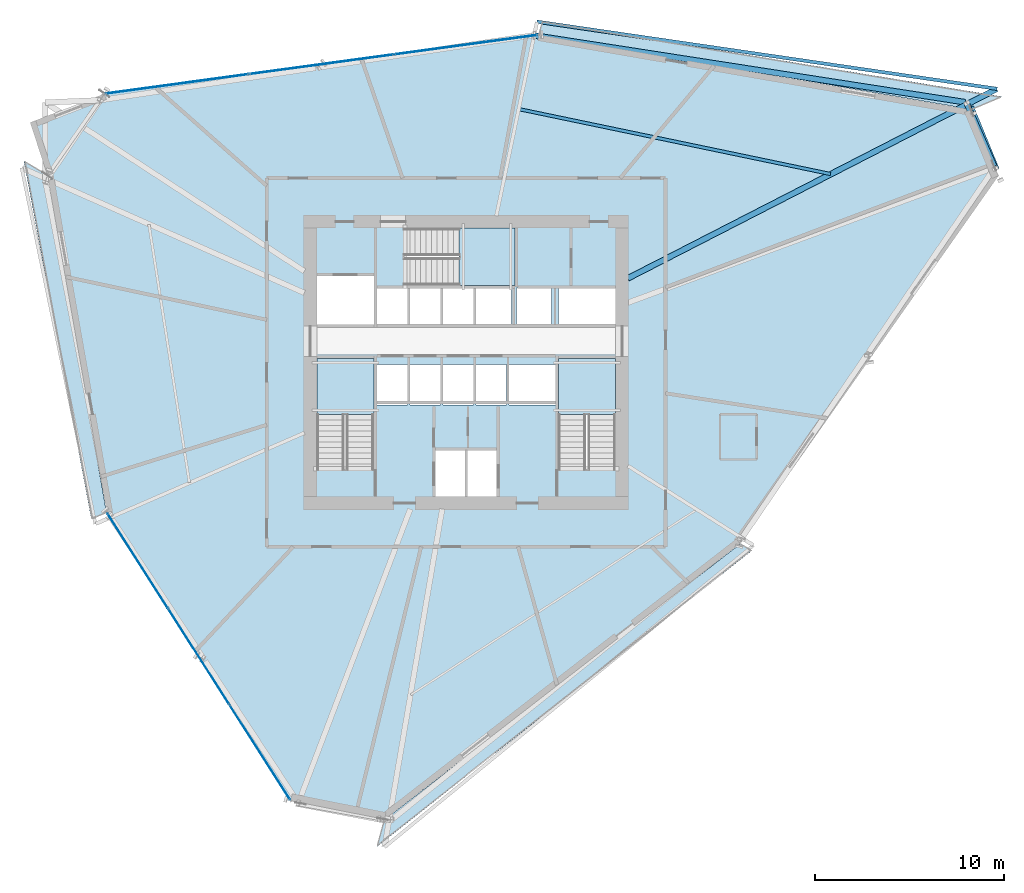
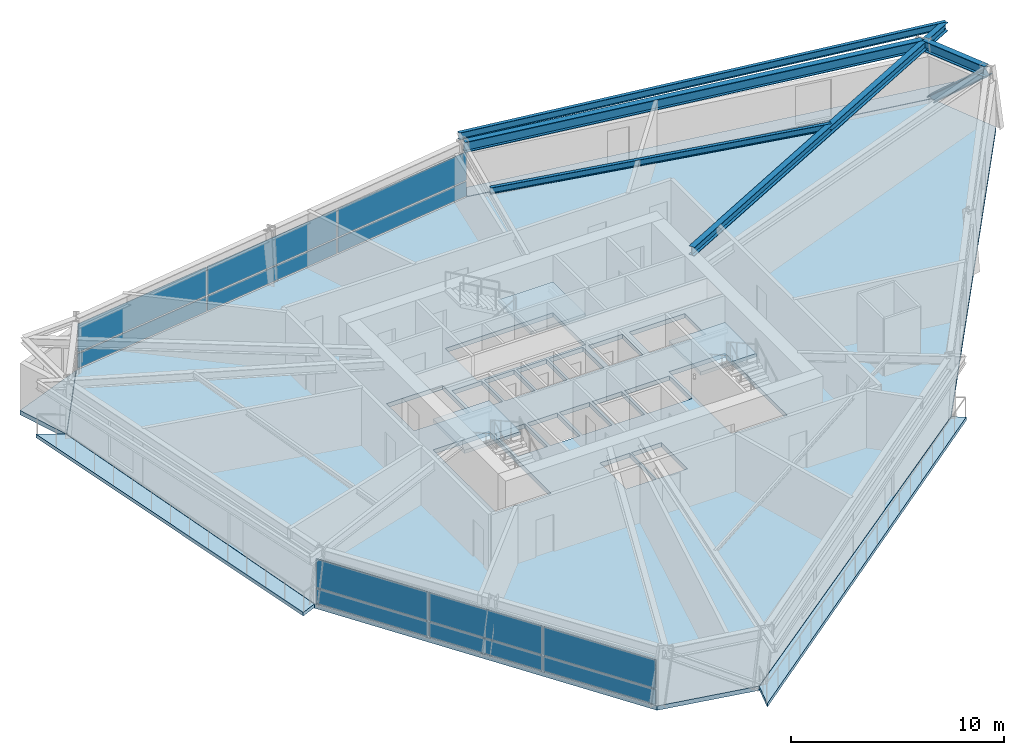
# One storey, part 8 of 16: 12 plates, 8 slabs, 5 beams, 1 member, 5 elements without a shape of their own.
"""IFC4 building model written with IfcOpenShell, lengths in metres."""

from ifc_helpers import new_model, si_unit, direction, frame, origin, origin_2d, place, context, subcontext, project, spatial, polyline, rectangle, i_section, outline, extrude, source, transform, mapped, material, layer, layer_set, material_profile, profile_set, type_object, element, aggregate, save


model = new_model("IFC4")

# Units and contexts
model_context = context("Model", 3, precision=1e-05, world=origin(), true_north=direction((0.0, 1.0)))
body_context = subcontext(model_context, "Body", "Model", "MODEL_VIEW")
ifc_project = project(units=[si_unit("LENGTHUNIT", "METRE"), si_unit("AREAUNIT", "SQUARE_METRE"), si_unit("VOLUMEUNIT", "CUBIC_METRE"), si_unit("PLANEANGLEUNIT", "RADIAN"), si_unit("MASSUNIT", "GRAM", prefix="KILO")], contexts=[model_context])

# Site, building, storey
site_placement = place(None, origin())
site = spatial("IfcSite", under=ifc_project, at=site_placement, CompositionType="ELEMENT")
building_placement = place(site_placement, origin())
building = spatial("IfcBuilding", under=site, at=building_placement, Name="Olszyna Solenne Hotel", CompositionType="ELEMENT")
storey_placement = place(building_placement, frame((0.0, 0.0, 127.0)))
storey = spatial("IfcBuildingStorey", under=building, at=storey_placement, Name="L33", CompositionType="ELEMENT", Elevation=127.0)

# Beams
ifc_material_1 = material(Name="Steel S355J2", Category="steel")
ifc_material_profile_1 = material_profile(ifc_material_1, i_section(OverallWidth=0.300048828125, OverallDepth=0.60009765625, WebThickness=0.015380859375, FlangeThickness=0.030029296875, at=origin_2d()), Name="HEB 600", Category="load-bearing")
ifc_profile_set_1 = profile_set([ifc_material_profile_1], Name="Steel S355J2")
beam_type_1 = type_object("IfcBeamType", Name="BM-S2", PredefinedType="BEAM", material=ifc_profile_set_1)
shared_shape_1 = source(origin(), body_context, "Body", "SweptSolid", [
    extrude(i_section(OverallWidth=0.300048828125, OverallDepth=0.60009765625, WebThickness=0.015380859375, FlangeThickness=0.030029296875, at=origin_2d()), origin(), (0.0, 0.0, 1.0), 3.63037109375),
])
beam_1_placement = place(storey_placement, frame((65.933837890625, 36.970458984375, 3.0), z_axis=(-0.399520214976, 0.916724384876, 0.0), x_axis=(-0.916724384876, -0.399520214976, 0.0)))
element("IfcBeam", 1, at=beam_1_placement, inside=storey, type_object=beam_type_1, Name="Perimeter spandrel beam BM-S2 B-L33-0987", PredefinedType="BEAM", context=body_context, shape_type="MappedRepresentation", body=[
    mapped(shared_shape_1, transform((0.0, 0.0, 0.0), x_axis=(1.0, 0.0, 0.0), y_axis=(0.0, 1.0, 0.0), z_axis=(0.0, 0.0, 1.0), scale=1.0)),
])
shared_shape_2 = source(origin(), body_context, "Body", "SweptSolid", [
    extrude(i_section(OverallWidth=0.300048828125, OverallDepth=0.60009765625, WebThickness=0.015380859375, FlangeThickness=0.030029296875, at=origin_2d()), origin(), (0.0, 0.0, 1.0), 23.046630859375),
])
beam_2_placement = place(storey_placement, frame((64.39990234375, 40.36279296875, 3.0), z_axis=(-0.988208250697, 0.153115816474, 0.0), x_axis=(-0.153115816474, -0.988208250697, 0.0)))
element("IfcBeam", 2, at=beam_2_placement, inside=storey, type_object=beam_type_1, Name="Perimeter spandrel beam BM-S2 B-L33-0988", PredefinedType="BEAM", context=body_context, shape_type="MappedRepresentation", body=[
    mapped(shared_shape_2, transform((0.0, 0.0, 0.0), x_axis=(1.0, 0.0, 0.0), y_axis=(0.0, 1.0, 0.0), z_axis=(0.0, 0.0, 1.0), scale=1.0)),
])
ifc_material_profile_2 = material_profile(ifc_material_1, i_section(OverallWidth=0.300048828125, OverallDepth=0.489990234375, WebThickness=0.011962890625, FlangeThickness=0.02294921875, at=origin_2d()), Name="HEA 500", Category="load-bearing")
ifc_profile_set_2 = profile_set([ifc_material_profile_2], Name="Steel S355J2")
beam_type_2 = type_object("IfcBeamType", Name="BM-G1", PredefinedType="BEAM", material=ifc_profile_set_2)
shared_shape_3 = source(origin(), body_context, "Body", "SweptSolid", [
    extrude(i_section(OverallWidth=0.300048828125, OverallDepth=0.489990234375, WebThickness=0.011962890625, FlangeThickness=0.02294921875, at=origin_2d()), origin(), (0.0, 0.0, 1.0), 21.935546875),
])
beam_3_placement = place(storey_placement, frame((66.07080078125, 41.063720703125, 3.054931640625), z_axis=(-0.88965378922, -0.45663567023, 0.0), x_axis=(0.45663567023, -0.88965378922, 0.0)))
element("IfcBeam", 3, at=beam_3_placement, inside=storey, type_object=beam_type_2, Name="Radial floor girder BM-G1 B-L33-1000", PredefinedType="BEAM", context=body_context, shape_type="MappedRepresentation", body=[
    mapped(shared_shape_3, transform((0.0, 0.0, 0.0), x_axis=(1.0, 0.0, 0.0), y_axis=(0.0, 1.0, 0.0), z_axis=(0.0, 0.0, 1.0), scale=1.0)),
])
ifc_material_profile_3 = material_profile(ifc_material_1, i_section(OverallWidth=0.169921875, OverallDepth=0.360107421875, WebThickness=0.008056640625, FlangeThickness=0.0126953125, at=origin_2d()), Name="IPE 360", Category="load-bearing")
ifc_profile_set_3 = profile_set([ifc_material_profile_3], Name="Steel S355J2")
beam_type_3 = type_object("IfcBeamType", Name="JS-01", PredefinedType="JOIST", material=ifc_profile_set_3)
shared_shape_4 = source(origin(), body_context, "Body", "SweptSolid", [
    extrude(i_section(OverallWidth=0.169921875, OverallDepth=0.360107421875, WebThickness=0.008056640625, FlangeThickness=0.0126953125, at=origin_2d()), origin(), (0.0, 0.0, 1.0), 16.83056640625),
])
beam_4_placement = place(storey_placement, frame((57.279052734375, 36.5654296875, 3.1201171875), z_axis=(-0.978996105305, 0.203878948882, 0.0), x_axis=(-0.203878948882, -0.978996105305, 0.0)))
element("IfcBeam", 4, at=beam_4_placement, inside=storey, type_object=beam_type_3, Name="Secondary composite floor joist JS-01 B-L33-1010", PredefinedType="JOIST", context=body_context, shape_type="MappedRepresentation", body=[
    mapped(shared_shape_4, transform((0.0, 0.0, 0.0), x_axis=(1.0, 0.0, 0.0), y_axis=(0.0, 1.0, 0.0), z_axis=(0.0, 0.0, 1.0), scale=1.0)),
])
ifc_material_profile_4 = material_profile(ifc_material_1, i_section(OverallWidth=0.179931640625, OverallDepth=0.39990234375, WebThickness=0.008544921875, FlangeThickness=0.013427734375, at=origin_2d()), Name="IPE 400", Category="load-bearing")
ifc_profile_set_4 = profile_set([ifc_material_profile_4], Name="Steel S355J2")
beam_type_4 = type_object("IfcBeamType", Name="BM-F5", PredefinedType="BEAM", material=ifc_profile_set_4)
shared_shape_5 = source(origin(), body_context, "Body", "SweptSolid", [
    extrude(i_section(OverallWidth=0.179931640625, OverallDepth=0.39990234375, WebThickness=0.008544921875, FlangeThickness=0.013427734375, at=origin_2d()), origin(), (0.0, 0.0, 1.0), 24.59423828125),
])
beam_5_placement = place(storey_placement, frame((66.08837890625, 41.07275390625, 3.10009765625), z_axis=(-0.98952157884, 0.144385058127, 0.0), x_axis=(-0.144385058127, -0.98952157884, 0.0)))
element("IfcBeam", 5, at=beam_5_placement, inside=storey, type_object=beam_type_4, Name="Loggia outer edge beam BM-F5 B-L33-1013", PredefinedType="BEAM", context=body_context, shape_type="MappedRepresentation", body=[
    mapped(shared_shape_5, transform((0.0, 0.0, 0.0), x_axis=(1.0, 0.0, 0.0), y_axis=(0.0, 1.0, 0.0), z_axis=(0.0, 0.0, 1.0), scale=1.0)),
])

# Member
ifc_material_2 = material(Name="Steel S460M", Category="steel")
ifc_material_profile_5 = material_profile(ifc_material_2, i_section(OverallWidth=0.406005859375, OverallDepth=0.416015625, WebThickness=0.026611328125, FlangeThickness=0.04150390625, at=origin_2d()), Name="HD 400x382", Category="load-bearing")
ifc_profile_set_5 = profile_set([ifc_material_profile_5], Name="Steel S460M")
member_type = type_object("IfcMemberType", Name="BR-T2", PredefinedType="BRACE", material=ifc_profile_set_5)
shared_shape_6 = source(origin(), body_context, "Body", "SweptSolid", [
    extrude(i_section(OverallWidth=0.406005859375, OverallDepth=0.416015625, WebThickness=0.026611328125, FlangeThickness=0.04150390625, at=origin_2d()), origin(), (0.0, 0.0, 1.0), 4.434814453125),
])
member_placement = place(storey_placement, frame((64.705078125, 39.97119140625, 0.010009765625), z_axis=(0.282516267457, -0.689004988988, 0.667425414389), x_axis=(0.925240487958, 0.379381126894, 0.0)))
element("IfcMember", 6, at=member_placement, inside=storey, type_object=member_type, Name="Perimeter braced-tube diagonal BR-T2 BR-L33-1", PredefinedType="BRACE", context=body_context, shape_type="MappedRepresentation", body=[
    mapped(shared_shape_6, transform((0.0, 0.0, 0.0), x_axis=(1.0, 0.0, 0.0), y_axis=(0.0, 1.0, 0.0), z_axis=(0.0, 0.0, 1.0), scale=1.0)),
])

# Stair, slab
ifc_material_3 = material(Name="Concrete C40/50", Category="concrete")
stair_type = type_object("IfcStairType", Name="STR-C1", PredefinedType="TWO_QUARTER_WINDING_STAIR", material=ifc_material_3)
stair_1_placement = place(storey_placement, origin())
stair_1 = element("IfcStair", 7, at=stair_1_placement, inside=storey, type_object=stair_type, Name="L33 ST1", PredefinedType="TWO_QUARTER_WINDING_STAIR")
ifc_layer_1 = layer(ifc_material_3, 0.18994140625, Name="Concrete C40/50")
ifc_layer_set_1 = layer_set([ifc_layer_1], Name="Concrete C40/50")
slab_type_1 = type_object("IfcSlabType", Name="SL-LN190", PredefinedType="LANDING", material=ifc_layer_set_1)
slab_1_placement = place(storey_placement, frame((0.0, 0.0, 1.574951171875)))
slab_1 = element("IfcSlab", 8, at=slab_1_placement, type_object=slab_type_1, Name="ST1 landing 1", PredefinedType="LANDING", context=body_context, shape_type="SweptSolid", body=[
    extrude(outline(polyline([(33.1201171875, 23.85009765625), (33.1201171875, 26.800048828125), (30.10009765625, 26.800048828125), (30.10009765625, 23.85009765625), (33.1201171875, 23.85009765625)])), origin(), (0.0, 0.0, 1.0), 0.199951171875),
])
aggregate(stair_1, [slab_1])

stair_2_placement = place(storey_placement, origin())
stair_2 = element("IfcStair", 9, at=stair_2_placement, inside=storey, type_object=stair_type, Name="L33 ST2", PredefinedType="TWO_QUARTER_WINDING_STAIR")
slab_2_placement = place(storey_placement, frame((0.0, 0.0, 1.574951171875)))
slab_2 = element("IfcSlab", 10, at=slab_2_placement, type_object=slab_type_1, Name="ST2 landing 1", PredefinedType="LANDING", context=body_context, shape_type="SweptSolid", body=[
    extrude(outline(polyline([(45.89990234375, 23.85009765625), (45.89990234375, 26.800048828125), (42.8798828125, 26.800048828125), (42.8798828125, 23.85009765625), (45.89990234375, 23.85009765625)])), origin(), (0.0, 0.0, 1.0), 0.199951171875),
])
aggregate(stair_2, [slab_2])

stair_3_placement = place(storey_placement, origin())
stair_3 = element("IfcStair", 11, at=stair_3_placement, inside=storey, type_object=stair_type, Name="L33 ST3", PredefinedType="TWO_QUARTER_WINDING_STAIR")
slab_3_placement = place(storey_placement, frame((0.0, 0.0, 1.574951171875)))
slab_3 = element("IfcSlab", 12, at=slab_3_placement, type_object=slab_type_1, Name="ST3 landing 1", PredefinedType="LANDING", context=body_context, shape_type="SweptSolid", body=[
    extrude(outline(polyline([(37.6298828125, 30.679931640625), (40.580078125, 30.679931640625), (40.580078125, 33.699951171875), (37.6298828125, 33.699951171875), (37.6298828125, 30.679931640625)])), origin(), (0.0, 0.0, 1.0), 0.199951171875),
])
aggregate(stair_3, [slab_3])

# Slabs
ifc_material_4 = material(Name="Precast concrete C45/55", Category="concrete")
ifc_layer_2 = layer(ifc_material_4, 0.199951171875, Name="Precast concrete C45/55")
ifc_layer_set_2 = layer_set([ifc_layer_2], Name="Precast concrete C45/55")
slab_type_2 = type_object("IfcSlabType", Name="SL-LOG200", PredefinedType="FLOOR", material=ifc_layer_set_2)
slab_4_placement = place(storey_placement, frame((0.0, 0.0, -0.199951171875)))
element("IfcSlab", 13, at=slab_4_placement, inside=storey, type_object=slab_type_2, Name="Exterior loggia balcony slab SL-L33-LG1", PredefinedType="FLOOR", context=body_context, shape_type="SweptSolid", body=[
    extrude(outline(polyline([(41.851806640625, 43.94287109375), (64.707763671875, 39.986083984375), (64.709228515625, 39.985595703125), (64.710693359375, 39.9853515625), (64.7119140625, 39.984619140625), (64.71337890625, 39.98388671875), (64.714599609375, 39.98291015625), (64.7158203125, 39.98193359375), (64.716796875, 39.98095703125), (64.717529296875, 39.979736328125), (64.718505859375, 39.978515625), (64.718994140625, 39.97705078125), (66.345458984375, 40.664794921875), (42.04541015625, 44.6484375), (41.851806640625, 43.94287109375)])), origin(), (0.0, 0.0, 1.0), 0.199951171875),
])
slab_5_placement = place(storey_placement, frame((0.0, 0.0, -0.199951171875)))
element("IfcSlab", 14, at=slab_5_placement, inside=storey, type_object=slab_type_2, Name="Exterior loggia balcony slab SL-L33-LG2", PredefinedType="FLOOR", context=body_context, shape_type="SweptSolid", body=[
    extrude(outline(polyline([(18.97900390625, 18.6689453125), (18.978759765625, 18.669189453125), (18.978271484375, 18.670654296875), (18.977783203125, 18.672119140625), (15.84228515625, 36.498291015625), (15.837158203125, 36.513671875), (14.611572265625, 37.248291015625), (18.172607421875, 18.327880859375), (18.97900390625, 18.6689453125)])), origin(), (0.0, 0.0, 1.0), 0.199951171875),
])
slab_6_placement = place(storey_placement, frame((0.0, 0.0, -0.199951171875)))
element("IfcSlab", 15, at=slab_6_placement, inside=storey, type_object=slab_type_2, Name="Exterior loggia balcony slab SL-L33-LG3", PredefinedType="FLOOR", context=body_context, shape_type="SweptSolid", body=[
    extrude(outline(polyline([(52.49951171875, 17.002197265625), (52.498779296875, 17.001220703125), (52.497802734375, 17.0), (52.496826171875, 16.998779296875), (52.49560546875, 16.997802734375), (33.6962890625, 2.418701171875), (33.6953125, 2.417724609375), (33.694091796875, 2.4169921875), (33.692626953125, 2.41650390625), (33.69140625, 2.416015625), (33.68994140625, 2.415771484375), (33.6884765625, 2.41552734375), (33.68701171875, 2.41552734375), (33.685791015625, 2.41552734375), (33.684326171875, 2.415771484375), (33.68310546875, 2.416015625), (33.292236328125, 0.990478515625), (53.109130859375, 16.63671875), (52.49951171875, 17.002197265625)])), origin(), (0.0, 0.0, 1.0), 0.199951171875),
])
ifc_material_5 = material(Name="Concrete C50/60", Category="concrete")
ifc_layer_3 = layer(ifc_material_5, 0.25, Name="Concrete C50/60")
ifc_layer_set_3 = layer_set([ifc_layer_3], Name="Concrete C50/60")
slab_type_3 = type_object("IfcSlabType", Name="SL-TW250", PredefinedType="FLOOR", material=ifc_layer_set_3)
slab_7_placement = place(storey_placement, frame((0.0, 0.0, -0.25)))
element("IfcSlab", 16, at=slab_7_placement, inside=storey, type_object=slab_type_3, Name="Floor slab SL-TW250 SL-L33-01", PredefinedType="FLOOR", context=body_context, shape_type="SweptSolid", body=[
    extrude(outline(polyline([(66.164306640625, 36.474609375), (64.705078125, 39.97119140625), (41.84765625, 43.928466796875), (18.861083984375, 40.80859375), (15.856689453125, 36.501953125), (18.99267578125, 18.6748046875), (28.725341796875, 3.412841796875), (33.687255859375, 2.430419921875), (52.486572265625, 17.009765625), (66.164306640625, 36.474609375)]), holes=[polyline([(30.10009765625, 20.949951171875), (33.1201171875, 20.949951171875), (33.1201171875, 26.800048828125), (30.10009765625, 26.800048828125), (30.10009765625, 20.949951171875)]), polyline([(42.8798828125, 20.949951171875), (45.89990234375, 20.949951171875), (45.89990234375, 26.800048828125), (42.8798828125, 26.800048828125), (42.8798828125, 20.949951171875)]), polyline([(34.72998046875, 30.679931640625), (40.580078125, 30.679931640625), (40.580078125, 33.699951171875), (34.72998046875, 33.699951171875), (34.72998046875, 30.679931640625)]), polyline([(36.340087890625, 19.5), (37.9599609375, 19.5), (37.9599609375, 21.9599609375), (36.340087890625, 21.9599609375), (36.340087890625, 19.5)]), polyline([(38.0400390625, 19.5), (39.659912109375, 19.5), (39.659912109375, 21.9599609375), (38.0400390625, 21.9599609375), (38.0400390625, 19.5)]), polyline([(30.10009765625, 28.60009765625), (33.1201171875, 28.60009765625), (33.1201171875, 31.159912109375), (30.10009765625, 31.159912109375), (30.10009765625, 28.60009765625)]), polyline([(33.280029296875, 24.360107421875), (34.89990234375, 24.360107421875), (34.89990234375, 26.5), (33.280029296875, 26.5), (33.280029296875, 24.360107421875)]), polyline([(35.030029296875, 24.360107421875), (36.64990234375, 24.360107421875), (36.64990234375, 26.5), (35.030029296875, 26.5), (35.030029296875, 24.360107421875)]), polyline([(36.780029296875, 24.360107421875), (38.39990234375, 24.360107421875), (38.39990234375, 26.5), (36.780029296875, 26.5), (36.780029296875, 24.360107421875)]), polyline([(38.530029296875, 24.360107421875), (40.14990234375, 24.360107421875), (40.14990234375, 26.5), (38.530029296875, 26.5), (38.530029296875, 24.360107421875)]), polyline([(40.280029296875, 24.360107421875), (42.719970703125, 24.360107421875), (42.719970703125, 26.5), (40.280029296875, 26.5), (40.280029296875, 24.360107421875)]), polyline([(33.280029296875, 28.60009765625), (34.89990234375, 28.60009765625), (34.89990234375, 30.550048828125), (33.280029296875, 30.550048828125), (33.280029296875, 28.60009765625)]), polyline([(35.030029296875, 28.60009765625), (36.64990234375, 28.60009765625), (36.64990234375, 30.550048828125), (35.030029296875, 30.550048828125), (35.030029296875, 28.60009765625)]), polyline([(36.780029296875, 28.60009765625), (38.39990234375, 28.60009765625), (38.39990234375, 30.550048828125), (36.780029296875, 30.550048828125), (36.780029296875, 28.60009765625)]), polyline([(38.530029296875, 28.60009765625), (40.389892578125, 28.60009765625), (40.389892578125, 30.550048828125), (38.530029296875, 30.550048828125), (38.530029296875, 28.60009765625)]), polyline([(40.659912109375, 28.60009765625), (42.52001953125, 28.60009765625), (42.52001953125, 30.550048828125), (40.659912109375, 30.550048828125), (40.659912109375, 28.60009765625)]), polyline([(42.8798828125, 28.60009765625), (45.89990234375, 28.60009765625), (45.89990234375, 30.550048828125), (42.8798828125, 30.550048828125), (42.8798828125, 28.60009765625)])]), origin(), (0.0, 0.0, 1.0), 0.25),
])
slab_8_placement = place(storey_placement, frame((0.0, 0.0, -0.25)))
element("IfcSlab", 17, at=slab_8_placement, inside=storey, type_object=slab_type_3, Name="Faceted glass-prism floor slab SL-L33-PR", PredefinedType="FLOOR", context=body_context, shape_type="SweptSolid", body=[
    extrude(outline(polyline([(15.852783203125, 36.513916015625), (18.84423828125, 40.80224609375), (14.93603515625, 39.28955078125), (15.852783203125, 36.513916015625)])), origin(), (0.0, 0.0, 1.0), 0.25),
])

# Curtain wall, plates
ifc_material_6 = material(Name="Anodised bronze aluminium", Category="aluminium")
curtain_wall_type = type_object("IfcCurtainWallType", Name="CW-SYS-3", PredefinedType="NOTDEFINED", material=ifc_material_6)
curtain_wall_1_placement = place(storey_placement, origin())
curtain_wall_1 = element("IfcCurtainWall", 18, at=curtain_wall_1_placement, inside=storey, type_object=curtain_wall_type, Name="Unitised curtain wall CW-SYS-3 CW-L33-01", PredefinedType="NOTDEFINED")
ifc_material_7 = material(Name="Terracotta cladding", Category="masonry")
plate_type_1 = type_object("IfcPlateType", Name="PN-SP1", PredefinedType="CURTAIN_PANEL", material=ifc_material_7)
shared_shape_7 = source(origin(), body_context, "Body", "SweptSolid", [
    extrude(rectangle(XDim=5.921142578125, YDim=0.035888671875, at=origin_2d()), origin(), (0.0, 0.0, 1.0), 0.83740234375),
])
plate_1_placement = place(storey_placement, frame((20.625, 16.115234375, 0.074951171875), z_axis=(0.0, 0.0, 1.0), x_axis=(0.537687058772, -0.843144487516, 0.0)))
plate_1 = element("IfcPlate", 19, at=plate_1_placement, type_object=plate_type_1, Name="Curtain-wall panel PN-SP1 CP-L33-01-01", PredefinedType="CURTAIN_PANEL", context=body_context, shape_type="MappedRepresentation", body=[
    mapped(shared_shape_7, transform((0.0, 0.0, 0.0), x_axis=(1.0, 0.0, 0.0), y_axis=(0.0, 1.0, 0.0), z_axis=(0.0, 0.0, 1.0), scale=1.0)),
])
plate_2_placement = place(storey_placement, frame((27.09326171875, 5.972412109375, 0.074951171875), z_axis=(0.0, 0.0, 1.0), x_axis=(0.537687058772, -0.843144487516, 0.0)))
plate_2 = element("IfcPlate", 20, at=plate_2_placement, type_object=plate_type_1, Name="Curtain-wall panel PN-SP1 CP-L33-01-05", PredefinedType="CURTAIN_PANEL", context=body_context, shape_type="MappedRepresentation", body=[
    mapped(shared_shape_7, transform((0.0, 0.0, 0.0), x_axis=(1.0, 0.0, 0.0), y_axis=(0.0, 1.0, 0.0), z_axis=(0.0, 0.0, 1.0), scale=1.0)),
])
ifc_material_8 = material(Name="Low-E triple glazing", Category="glass")
plate_type_2 = type_object("IfcPlateType", Name="PN-GL1", PredefinedType="CURTAIN_PANEL", material=ifc_material_8)
shared_shape_8 = source(origin(), body_context, "Body", "SweptSolid", [
    extrude(rectangle(XDim=5.921142578125, YDim=0.035888671875, at=origin_2d()), origin(), (0.0, 0.0, 1.0), 1.62939453125),
])
plate_3_placement = place(storey_placement, frame((20.625, 16.115234375, 0.987548828125), z_axis=(0.0, 0.0, 1.0), x_axis=(0.537687058772, -0.843144487516, 0.0)))
plate_3 = element("IfcPlate", 21, at=plate_3_placement, type_object=plate_type_2, Name="Curtain-wall panel PN-GL1 CP-L33-01-02", PredefinedType="CURTAIN_PANEL", context=body_context, shape_type="MappedRepresentation", body=[
    mapped(shared_shape_8, transform((0.0, 0.0, 0.0), x_axis=(1.0, 0.0, 0.0), y_axis=(0.0, 1.0, 0.0), z_axis=(0.0, 0.0, 1.0), scale=1.0)),
])
plate_4_placement = place(storey_placement, frame((27.09326171875, 5.972412109375, 0.987548828125), z_axis=(0.0, 0.0, 1.0), x_axis=(0.537687058772, -0.843144487516, 0.0)))
plate_4 = element("IfcPlate", 22, at=plate_4_placement, type_object=plate_type_2, Name="Curtain-wall panel PN-GL1 CP-L33-01-06", PredefinedType="CURTAIN_PANEL", context=body_context, shape_type="MappedRepresentation", body=[
    mapped(shared_shape_8, transform((0.0, 0.0, 0.0), x_axis=(1.0, 0.0, 0.0), y_axis=(0.0, 1.0, 0.0), z_axis=(0.0, 0.0, 1.0), scale=1.0)),
])
shared_shape_9 = source(origin(), body_context, "Body", "SweptSolid", [
    extrude(rectangle(XDim=5.958740234375, YDim=0.035888671875, at=origin_2d()), origin(), (0.0, 0.0, 1.0), 0.83740234375),
])
plate_5_placement = place(storey_placement, frame((23.859130859375, 11.043701171875, 0.074951171875), z_axis=(0.0, 0.0, 1.0), x_axis=(0.537687058772, -0.843144487516, 0.0)))
plate_5 = element("IfcPlate", 23, at=plate_5_placement, type_object=plate_type_1, Name="Curtain-wall panel PN-SP1 CP-L33-01-03", PredefinedType="CURTAIN_PANEL", context=body_context, shape_type="MappedRepresentation", body=[
    mapped(shared_shape_9, transform((0.0, 0.0, 0.0), x_axis=(1.0, 0.0, 0.0), y_axis=(0.0, 1.0, 0.0), z_axis=(0.0, 0.0, 1.0), scale=1.0)),
])
shared_shape_10 = source(origin(), body_context, "Body", "SweptSolid", [
    extrude(rectangle(XDim=5.958740234375, YDim=0.035888671875, at=origin_2d()), origin(), (0.0, 0.0, 1.0), 1.62939453125),
])
plate_6_placement = place(storey_placement, frame((23.859130859375, 11.043701171875, 0.987548828125), z_axis=(0.0, 0.0, 1.0), x_axis=(0.537687058772, -0.843144487516, 0.0)))
plate_6 = element("IfcPlate", 24, at=plate_6_placement, type_object=plate_type_2, Name="Curtain-wall panel PN-GL1 CP-L33-01-04", PredefinedType="CURTAIN_PANEL", context=body_context, shape_type="MappedRepresentation", body=[
    mapped(shared_shape_10, transform((0.0, 0.0, 0.0), x_axis=(1.0, 0.0, 0.0), y_axis=(0.0, 1.0, 0.0), z_axis=(0.0, 0.0, 1.0), scale=1.0)),
])
aggregate(curtain_wall_1, [plate_1, plate_3, plate_5, plate_6, plate_2, plate_4])

curtain_wall_2_placement = place(storey_placement, origin())
curtain_wall_2 = element("IfcCurtainWall", 25, at=curtain_wall_2_placement, inside=storey, type_object=curtain_wall_type, Name="Unitised curtain wall CW-SYS-3 CW-L33-02", PredefinedType="NOTDEFINED")
shared_shape_11 = source(origin(), body_context, "Body", "SweptSolid", [
    extrude(rectangle(XDim=7.619873046875, YDim=0.035888671875, at=origin_2d()), origin(), (0.0, 0.0, 1.0), 0.83740234375),
])
plate_7_placement = place(storey_placement, frame((22.710693359375, 41.3310546875, 0.074951171875), z_axis=(0.0, 0.0, 1.0), x_axis=(0.990915669264, 0.134484706965, 0.0)))
plate_7 = element("IfcPlate", 26, at=plate_7_placement, type_object=plate_type_1, Name="Curtain-wall panel PN-SP1 CP-L33-02-01", PredefinedType="CURTAIN_PANEL", context=body_context, shape_type="MappedRepresentation", body=[
    mapped(shared_shape_11, transform((0.0, 0.0, 0.0), x_axis=(1.0, 0.0, 0.0), y_axis=(0.0, 1.0, 0.0), z_axis=(0.0, 0.0, 1.0), scale=1.0)),
])
plate_8_placement = place(storey_placement, frame((37.998046875, 43.406005859375, 0.074951171875), z_axis=(0.0, 0.0, 1.0), x_axis=(0.990915669264, 0.134484706965, 0.0)))
plate_8 = element("IfcPlate", 27, at=plate_8_placement, type_object=plate_type_1, Name="Curtain-wall panel PN-SP1 CP-L33-02-05", PredefinedType="CURTAIN_PANEL", context=body_context, shape_type="MappedRepresentation", body=[
    mapped(shared_shape_11, transform((0.0, 0.0, 0.0), x_axis=(1.0, 0.0, 0.0), y_axis=(0.0, 1.0, 0.0), z_axis=(0.0, 0.0, 1.0), scale=1.0)),
])
shared_shape_12 = source(origin(), body_context, "Body", "SweptSolid", [
    extrude(rectangle(XDim=7.619873046875, YDim=0.035888671875, at=origin_2d()), origin(), (0.0, 0.0, 1.0), 1.62939453125),
])
plate_9_placement = place(storey_placement, frame((22.710693359375, 41.3310546875, 0.987548828125), z_axis=(0.0, 0.0, 1.0), x_axis=(0.990915669264, 0.134484706965, 0.0)))
plate_9 = element("IfcPlate", 28, at=plate_9_placement, type_object=plate_type_2, Name="Curtain-wall panel PN-GL1 CP-L33-02-02", PredefinedType="CURTAIN_PANEL", context=body_context, shape_type="MappedRepresentation", body=[
    mapped(shared_shape_12, transform((0.0, 0.0, 0.0), x_axis=(1.0, 0.0, 0.0), y_axis=(0.0, 1.0, 0.0), z_axis=(0.0, 0.0, 1.0), scale=1.0)),
])
plate_10_placement = place(storey_placement, frame((37.998046875, 43.406005859375, 0.987548828125), z_axis=(0.0, 0.0, 1.0), x_axis=(0.990915669264, 0.134484706965, 0.0)))
plate_10 = element("IfcPlate", 29, at=plate_10_placement, type_object=plate_type_2, Name="Curtain-wall panel PN-GL1 CP-L33-02-06", PredefinedType="CURTAIN_PANEL", context=body_context, shape_type="MappedRepresentation", body=[
    mapped(shared_shape_12, transform((0.0, 0.0, 0.0), x_axis=(1.0, 0.0, 0.0), y_axis=(0.0, 1.0, 0.0), z_axis=(0.0, 0.0, 1.0), scale=1.0)),
])
shared_shape_13 = source(origin(), body_context, "Body", "SweptSolid", [
    extrude(rectangle(XDim=7.657470703125, YDim=0.035888671875, at=origin_2d()), origin(), (0.0, 0.0, 1.0), 0.83740234375),
])
plate_11_placement = place(storey_placement, frame((30.354248046875, 42.36865234375, 0.074951171875), z_axis=(0.0, 0.0, 1.0), x_axis=(0.990915669264, 0.134484706965, 0.0)))
plate_11 = element("IfcPlate", 30, at=plate_11_placement, type_object=plate_type_1, Name="Curtain-wall panel PN-SP1 CP-L33-02-03", PredefinedType="CURTAIN_PANEL", context=body_context, shape_type="MappedRepresentation", body=[
    mapped(shared_shape_13, transform((0.0, 0.0, 0.0), x_axis=(1.0, 0.0, 0.0), y_axis=(0.0, 1.0, 0.0), z_axis=(0.0, 0.0, 1.0), scale=1.0)),
])
shared_shape_14 = source(origin(), body_context, "Body", "SweptSolid", [
    extrude(rectangle(XDim=7.657470703125, YDim=0.035888671875, at=origin_2d()), origin(), (0.0, 0.0, 1.0), 1.62939453125),
])
plate_12_placement = place(storey_placement, frame((30.354248046875, 42.36865234375, 0.987548828125), z_axis=(0.0, 0.0, 1.0), x_axis=(0.990915669264, 0.134484706965, 0.0)))
plate_12 = element("IfcPlate", 31, at=plate_12_placement, type_object=plate_type_2, Name="Curtain-wall panel PN-GL1 CP-L33-02-04", PredefinedType="CURTAIN_PANEL", context=body_context, shape_type="MappedRepresentation", body=[
    mapped(shared_shape_14, transform((0.0, 0.0, 0.0), x_axis=(1.0, 0.0, 0.0), y_axis=(0.0, 1.0, 0.0), z_axis=(0.0, 0.0, 1.0), scale=1.0)),
])
aggregate(curtain_wall_2, [plate_7, plate_9, plate_11, plate_12, plate_8, plate_10])

save(model, "model.ifc")
